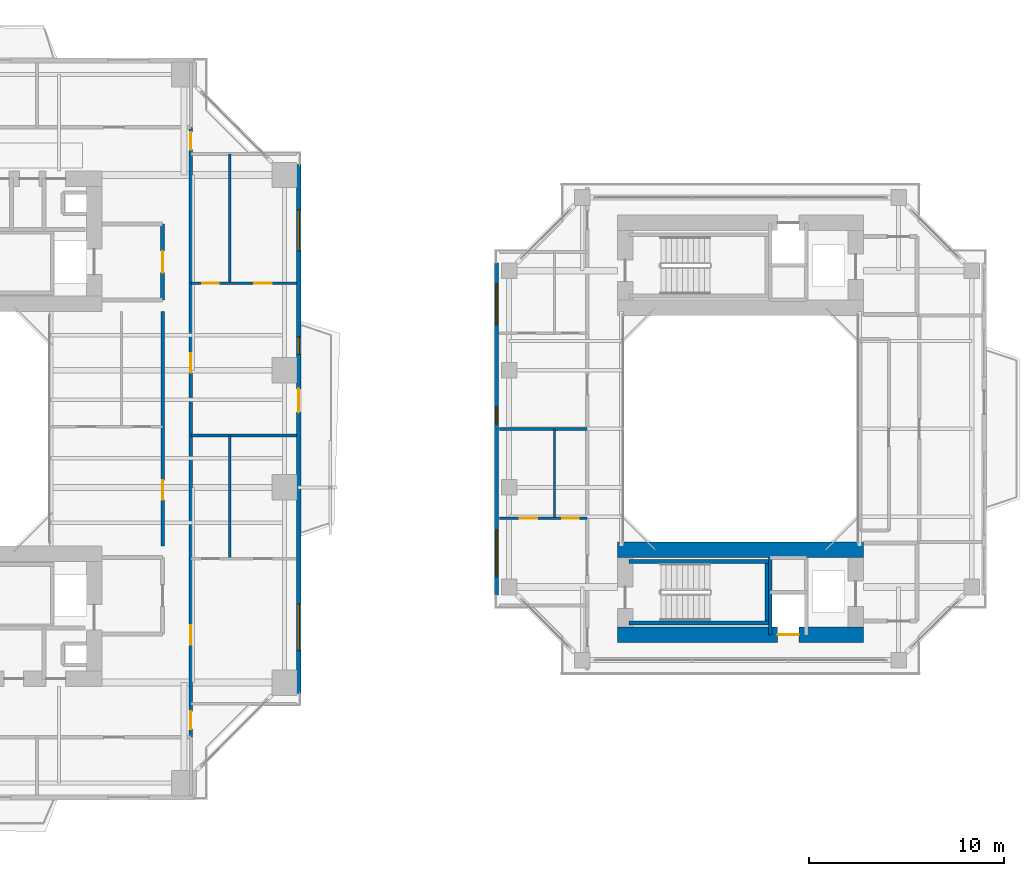
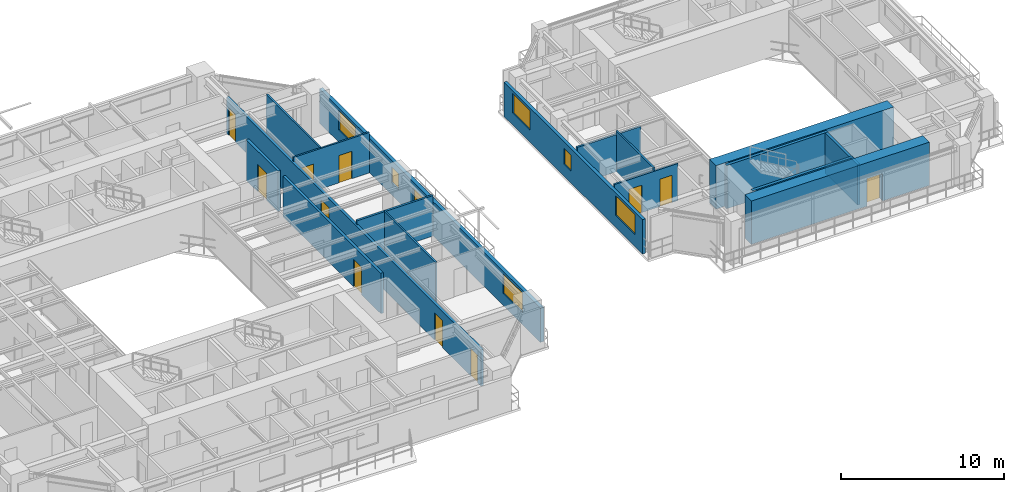
# One storey, part 15 of 23: 18 walls, 12 doors, 6 windows, 18 openings.
"""IFC4 building model written with IfcOpenShell, lengths in metres."""

from ifc_helpers import new_model, si_unit, direction, frame, frame_2d, origin, place, context, subcontext, project, spatial, rectangle, extrude, source, transform, mapped, material, layer, layer_set, type_object, element, fill, save


model = new_model("IFC4")

# Units and contexts
model_context = context("Model", 3, precision=1e-05, world=origin(), true_north=direction((0.0, 1.0)))
body_context = subcontext(model_context, "Body", "Model", "MODEL_VIEW")
ifc_project = project(units=[si_unit("LENGTHUNIT", "METRE"), si_unit("AREAUNIT", "SQUARE_METRE"), si_unit("VOLUMEUNIT", "CUBIC_METRE"), si_unit("PLANEANGLEUNIT", "RADIAN"), si_unit("MASSUNIT", "GRAM", prefix="KILO"), si_unit("THERMODYNAMICTEMPERATUREUNIT", "KELVIN"), si_unit("POWERUNIT", "WATT")], contexts=[model_context])

# Site, building, storey
site_placement = place(None, origin())
site = spatial("IfcSite", under=ifc_project, at=site_placement, CompositionType="ELEMENT")
building_placement = place(site_placement, origin())
building = spatial("IfcBuilding", under=site, at=building_placement, Name="Qiaomeng Ring Towers", CompositionType="ELEMENT")
storey_placement = place(building_placement, frame((0.0, 0.0, 89.25)))
storey = spatial("IfcBuildingStorey", under=building, at=storey_placement, Name="L25", CompositionType="ELEMENT", Elevation=89.25)

# Wall, openings, windows, door
ifc_material_1 = material(Name="Precast concrete C40", Category="concrete")
ifc_layer_1 = layer(ifc_material_1, 0.25, Name="Precast concrete C40")
ifc_layer_set_1 = layer_set([ifc_layer_1], Name="Precast concrete C40")
wall_type_1 = type_object("IfcWallType", Name="ARC-WL-EW1", PredefinedType="STANDARD", material=ifc_layer_set_1)
wall_1_placement = place(storey_placement, frame((37.875, 9.449951171875, 0.0), z_axis=(0.0, 0.0, 1.0), x_axis=(0.0, 1.0, 0.0)))
wall_1 = element("IfcWall", 1, at=wall_1_placement, inside=storey, type_object=wall_type_1, Name="L25 Tower 1 E Exterior Wall", PredefinedType="STANDARD", context=body_context, shape_type="SweptSolid", body=[
    extrude(rectangle(XDim=27.10009765625, YDim=0.25, at=frame_2d((13.550048828125, 0.0))), origin(), (0.0, 0.0, 1.0), 2.570068359375),
])
opening_1_placement = place(wall_1_placement, frame((14.39990234375, 0.0, 0.0)))
opening_1 = element("IfcOpeningElement", 2, at=opening_1_placement, cuts=wall_1, Name="Opening BD1", PredefinedType="OPENING", context=body_context, shape_type="SweptSolid", body=[
    extrude(rectangle(XDim=1.199951171875, YDim=2.10009765625, at=frame_2d((0.60009765625, 1.050048828125))), frame((0.0, 0.135009765625, 0.0), z_axis=(0.0, -1.0, 0.0), x_axis=(1.0, 0.0, 0.0)), (0.0, 0.0, 1.0), 0.27001953125),
])
opening_2_placement = place(wall_1_placement, frame((2.18798828125, 0.0, 0.89990234375)))
opening_2 = element("IfcOpeningElement", 3, at=opening_2_placement, cuts=wall_1, Name="Opening WN6", PredefinedType="OPENING", context=body_context, shape_type="SweptSolid", body=[
    extrude(rectangle(XDim=2.39990234375, YDim=1.47998046875, at=frame_2d((1.199951171875, 0.739990234375))), frame((0.0, 0.135009765625, 0.0), z_axis=(0.0, -1.0, 0.0), x_axis=(1.0, 0.0, 0.0)), (0.0, 0.0, 1.0), 0.27001953125),
])
opening_3_placement = place(wall_1_placement, frame((22.6630859375, 0.0, 0.89990234375)))
opening_3 = element("IfcOpeningElement", 4, at=opening_3_placement, cuts=wall_1, Name="Opening WN4", PredefinedType="OPENING", context=body_context, shape_type="SweptSolid", body=[
    extrude(rectangle(XDim=2.10009765625, YDim=1.47998046875, at=frame_2d((1.050048828125, 0.739990234375))), frame((0.0, 0.135009765625, 0.0), z_axis=(0.0, -1.0, 0.0), x_axis=(1.0, 0.0, 0.0)), (0.0, 0.0, 1.0), 0.27001953125),
])
opening_4_placement = place(wall_1_placement, frame((17.364990234375, 0.0, 0.89990234375)))
opening_4 = element("IfcOpeningElement", 5, at=opening_4_placement, cuts=wall_1, Name="Opening WN5", PredefinedType="OPENING", context=body_context, shape_type="SweptSolid", body=[
    extrude(rectangle(XDim=0.89990234375, YDim=1.199951171875, at=frame_2d((0.449951171875, 0.60009765625))), frame((0.0, 0.135009765625, 0.0), z_axis=(0.0, -1.0, 0.0), x_axis=(1.0, 0.0, 0.0)), (0.0, 0.0, 1.0), 0.27001953125),
])
ifc_material_2 = material(Name="Low-E dark-grey laminated double glazing", Category="glass")
window_type_1 = type_object("IfcWindowType", Name="ARC-WN-4", PartitioningType="TRIPLE_PANEL_VERTICAL", PredefinedType="WINDOW", material=ifc_material_2)
shared_shape_1 = source(origin(), body_context, "Body", "SweptSolid", [
    extrude(rectangle(XDim=2.10009765625, YDim=1.47998046875, at=frame_2d((1.050048828125, 0.739990234375))), frame((0.0, 0.030029296875, 0.0), z_axis=(0.0, -1.0, 0.0), x_axis=(1.0, 0.0, 0.0)), (0.0, 0.0, 1.0), 0.06005859375),
])
window_1_placement = place(opening_3_placement, origin())
window_1 = element("IfcWindow", 6, at=window_1_placement, inside=storey, type_object=window_type_1, Name="L25 Exterior Window WN4", OverallHeight=1.47998046875, OverallWidth=2.10009765625, PartitioningType="TRIPLE_PANEL_VERTICAL", PredefinedType="WINDOW", context=body_context, shape_type="MappedRepresentation", body=[
    mapped(shared_shape_1, transform((0.0, 0.0, 0.0), x_axis=(1.0, 0.0, 0.0), y_axis=(0.0, 1.0, 0.0), z_axis=(0.0, 0.0, 1.0), scale=1.0)),
])
fill(opening_3, window_1)
window_type_2 = type_object("IfcWindowType", Name="ARC-WN-6", PartitioningType="TRIPLE_PANEL_VERTICAL", PredefinedType="WINDOW", material=ifc_material_2)
shared_shape_2 = source(origin(), body_context, "Body", "SweptSolid", [
    extrude(rectangle(XDim=2.39990234375, YDim=1.47998046875, at=frame_2d((1.199951171875, 0.739990234375))), frame((0.0, 0.030029296875, 0.0), z_axis=(0.0, -1.0, 0.0), x_axis=(1.0, 0.0, 0.0)), (0.0, 0.0, 1.0), 0.06005859375),
])
window_2_placement = place(opening_2_placement, origin())
window_2 = element("IfcWindow", 7, at=window_2_placement, inside=storey, type_object=window_type_2, Name="L25 Exterior Window WN6", OverallHeight=1.47998046875, OverallWidth=2.39990234375, PartitioningType="TRIPLE_PANEL_VERTICAL", PredefinedType="WINDOW", context=body_context, shape_type="MappedRepresentation", body=[
    mapped(shared_shape_2, transform((0.0, 0.0, 0.0), x_axis=(1.0, 0.0, 0.0), y_axis=(0.0, 1.0, 0.0), z_axis=(0.0, 0.0, 1.0), scale=1.0)),
])
fill(opening_2, window_2)
door_type_1 = type_object("IfcDoorType", Name="ARC-DR-BD1", OperationType="NOTDEFINED", PredefinedType="DOOR", material=ifc_material_2)
shared_shape_3 = source(origin(), body_context, "Body", "SweptSolid", [
    extrude(rectangle(XDim=1.199951171875, YDim=2.10009765625, at=frame_2d((0.60009765625, 1.050048828125))), frame((0.0, 0.02490234375, 0.0), z_axis=(0.0, -1.0, 0.0), x_axis=(1.0, 0.0, 0.0)), (0.0, 0.0, 1.0), 0.050048828125),
])
door_1_placement = place(opening_1_placement, origin())
door_1 = element("IfcDoor", 8, at=door_1_placement, inside=storey, type_object=door_type_1, Name="L25 E Balcony Glazed Door", OperationType="SINGLE_SWING_LEFT", OverallHeight=2.10009765625, OverallWidth=1.199951171875, PredefinedType="DOOR", context=body_context, shape_type="MappedRepresentation", body=[
    mapped(shared_shape_3, transform((0.0, 0.0, 0.0), x_axis=(1.0, 0.0, 0.0), y_axis=(0.0, 1.0, 0.0), z_axis=(0.0, 0.0, 1.0), scale=1.0)),
])
fill(opening_1, door_1)
window_type_3 = type_object("IfcWindowType", Name="ARC-WN-5", PartitioningType="SINGLE_PANEL", PredefinedType="WINDOW", material=ifc_material_2)
shared_shape_4 = source(origin(), body_context, "Body", "SweptSolid", [
    extrude(rectangle(XDim=0.89990234375, YDim=1.199951171875, at=frame_2d((0.449951171875, 0.60009765625))), frame((0.0, 0.030029296875, 0.0), z_axis=(0.0, -1.0, 0.0), x_axis=(1.0, 0.0, 0.0)), (0.0, 0.0, 1.0), 0.06005859375),
])
window_3_placement = place(opening_4_placement, origin())
window_3 = element("IfcWindow", 9, at=window_3_placement, inside=storey, type_object=window_type_3, Name="L25 Exterior Window WN5", OverallHeight=1.199951171875, OverallWidth=0.89990234375, PartitioningType="SINGLE_PANEL", PredefinedType="WINDOW", context=body_context, shape_type="MappedRepresentation", body=[
    mapped(shared_shape_4, transform((0.0, 0.0, 0.0), x_axis=(1.0, 0.0, 0.0), y_axis=(0.0, 1.0, 0.0), z_axis=(0.0, 0.0, 1.0), scale=1.0)),
])
fill(opening_4, window_3)

# Wall, openings, windows
ifc_layer_2 = layer(ifc_material_1, 0.219970703125, Name="Precast concrete C40")
ifc_layer_set_2 = layer_set([ifc_layer_2], Name="Precast concrete C40")
wall_type_2 = type_object("IfcWallType", Name="ARC-WL-EW2", PredefinedType="STANDARD", material=ifc_layer_set_2)
wall_2_placement = place(storey_placement, frame((48.010009765625, 14.5, 0.0), z_axis=(0.0, 0.0, 1.0), x_axis=(0.0, 1.0, 0.0)))
wall_2 = element("IfcWall", 10, at=wall_2_placement, inside=storey, type_object=wall_type_2, Name="L25 Companion West Wall", PredefinedType="STANDARD", context=body_context, shape_type="SweptSolid", body=[
    extrude(rectangle(XDim=17.0, YDim=0.219970703125, at=frame_2d((8.5, 0.0))), origin(), (0.0, 0.0, 1.0), 2.570068359375),
])
opening_5_placement = place(wall_2_placement, frame((0.925048828125, 0.0, 0.89990234375)))
opening_5 = element("IfcOpeningElement", 11, at=opening_5_placement, cuts=wall_2, Name="Opening WN6", PredefinedType="OPENING", context=body_context, shape_type="SweptSolid", body=[
    extrude(rectangle(XDim=2.39990234375, YDim=1.47998046875, at=frame_2d((1.199951171875, 0.739990234375))), frame((0.0, 0.119873046875, 0.0), z_axis=(0.0, -1.0, 0.0), x_axis=(1.0, 0.0, 0.0)), (0.0, 0.0, 1.0), 0.239990234375),
])
opening_6_placement = place(wall_2_placement, frame((13.824951171875, 0.0, 0.89990234375)))
opening_6 = element("IfcOpeningElement", 12, at=opening_6_placement, cuts=wall_2, Name="Opening WN4", PredefinedType="OPENING", context=body_context, shape_type="SweptSolid", body=[
    extrude(rectangle(XDim=2.10009765625, YDim=1.47998046875, at=frame_2d((1.050048828125, 0.739990234375))), frame((0.0, 0.119873046875, 0.0), z_axis=(0.0, -1.0, 0.0), x_axis=(1.0, 0.0, 0.0)), (0.0, 0.0, 1.0), 0.239990234375),
])
opening_7_placement = place(wall_2_placement, frame((8.735107421875, 0.0, 0.89990234375)))
opening_7 = element("IfcOpeningElement", 13, at=opening_7_placement, cuts=wall_2, Name="Opening WN5", PredefinedType="OPENING", context=body_context, shape_type="SweptSolid", body=[
    extrude(rectangle(XDim=0.89990234375, YDim=1.199951171875, at=frame_2d((0.449951171875, 0.60009765625))), frame((0.0, 0.119873046875, 0.0), z_axis=(0.0, -1.0, 0.0), x_axis=(1.0, 0.0, 0.0)), (0.0, 0.0, 1.0), 0.239990234375),
])
window_4_placement = place(opening_6_placement, origin())
window_4 = element("IfcWindow", 14, at=window_4_placement, inside=storey, type_object=window_type_1, Name="L25 Exterior Window WN4", OverallHeight=1.47998046875, OverallWidth=2.10009765625, PartitioningType="TRIPLE_PANEL_VERTICAL", PredefinedType="WINDOW", context=body_context, shape_type="MappedRepresentation", body=[
    mapped(shared_shape_1, transform((0.0, 0.0, 0.0), x_axis=(1.0, 0.0, 0.0), y_axis=(0.0, 1.0, 0.0), z_axis=(0.0, 0.0, 1.0), scale=1.0)),
])
fill(opening_6, window_4)
window_5_placement = place(opening_5_placement, origin())
window_5 = element("IfcWindow", 15, at=window_5_placement, inside=storey, type_object=window_type_2, Name="L25 Exterior Window WN6", OverallHeight=1.47998046875, OverallWidth=2.39990234375, PartitioningType="TRIPLE_PANEL_VERTICAL", PredefinedType="WINDOW", context=body_context, shape_type="MappedRepresentation", body=[
    mapped(shared_shape_2, transform((0.0, 0.0, 0.0), x_axis=(1.0, 0.0, 0.0), y_axis=(0.0, 1.0, 0.0), z_axis=(0.0, 0.0, 1.0), scale=1.0)),
])
fill(opening_5, window_5)
window_6_placement = place(opening_7_placement, origin())
window_6 = element("IfcWindow", 16, at=window_6_placement, inside=storey, type_object=window_type_3, Name="L25 Exterior Window WN5", OverallHeight=1.199951171875, OverallWidth=0.89990234375, PartitioningType="SINGLE_PANEL", PredefinedType="WINDOW", context=body_context, shape_type="MappedRepresentation", body=[
    mapped(shared_shape_4, transform((0.0, 0.0, 0.0), x_axis=(1.0, 0.0, 0.0), y_axis=(0.0, 1.0, 0.0), z_axis=(0.0, 0.0, 1.0), scale=1.0)),
])
fill(opening_7, window_6)

# Wall, opening, door
ifc_material_3 = material(Name="Autoclaved aerated concrete block", Category="concrete")
ifc_layer_3 = layer(ifc_material_3, 0.199951171875, Name="Autoclaved aerated concrete block")
ifc_layer_set_3 = layer_set([ifc_layer_3], Name="Autoclaved aerated concrete block")
wall_type_3 = type_object("IfcWallType", Name="ARC-WL-PW1", PredefinedType="PARTITIONING", material=ifc_layer_set_3)
wall_3_placement = place(storey_placement, frame((30.89990234375, 29.60009765625, 0.0), z_axis=(0.0, 0.0, 1.0), x_axis=(0.0, 1.0, 0.0)))
wall_3 = element("IfcWall", 17, at=wall_3_placement, inside=storey, type_object=wall_type_3, Name="L25 Interior Wall PW1", PredefinedType="PARTITIONING", context=body_context, shape_type="SweptSolid", body=[
    extrude(rectangle(XDim=3.89990234375, YDim=0.199951171875, at=frame_2d((1.949951171875, 0.0))), origin(), (0.0, 0.0, 1.0), 3.030029296875),
])
opening_8_placement = place(wall_3_placement, frame((1.39990234375, 0.0, 0.0)))
opening_8 = element("IfcOpeningElement", 18, at=opening_8_placement, cuts=wall_3, Name="Opening FD3", PredefinedType="OPENING", context=body_context, shape_type="SweptSolid", body=[
    extrude(rectangle(XDim=1.10009765625, YDim=2.050048828125, at=frame_2d((0.550048828125, 1.02490234375))), frame((0.0, 0.10986328125, 0.0), z_axis=(0.0, -1.0, 0.0), x_axis=(1.0, 0.0, 0.0)), (0.0, 0.0, 1.0), 0.219970703125),
])
ifc_material_4 = material(Name="Galvanised steel", Category="steel")
door_type_2 = type_object("IfcDoorType", Name="ARC-DR-FD3", OperationType="NOTDEFINED", PredefinedType="DOOR", material=ifc_material_4)
shared_shape_5 = source(origin(), body_context, "Body", "SweptSolid", [
    extrude(rectangle(XDim=1.10009765625, YDim=2.050048828125, at=frame_2d((0.550048828125, 1.02490234375))), frame((0.0, 0.02490234375, 0.0), z_axis=(0.0, -1.0, 0.0), x_axis=(1.0, 0.0, 0.0)), (0.0, 0.0, 1.0), 0.050048828125),
])
door_2_placement = place(opening_8_placement, origin())
door_2 = element("IfcDoor", 19, at=door_2_placement, inside=storey, type_object=door_type_2, Name="L25 North FF Lobby Door", OperationType="SINGLE_SWING_RIGHT", OverallHeight=2.050048828125, OverallWidth=1.10009765625, PredefinedType="DOOR", context=body_context, shape_type="MappedRepresentation", body=[
    mapped(shared_shape_5, transform((0.0, 0.0, 0.0), x_axis=(1.0, 0.0, 0.0), y_axis=(0.0, 1.0, 0.0), z_axis=(0.0, 0.0, 1.0), scale=1.0)),
])
fill(opening_8, door_2)

# Wall, openings, doors
ifc_layer_4 = layer(ifc_material_3, 0.179931640625, Name="Autoclaved aerated concrete block")
ifc_layer_set_4 = layer_set([ifc_layer_4], Name="Autoclaved aerated concrete block")
wall_type_4 = type_object("IfcWallType", Name="ARC-WL-PW2", PredefinedType="PARTITIONING", material=ifc_layer_set_4)
wall_4_placement = place(storey_placement, frame((32.35009765625, 7.2099609375, 0.0), z_axis=(0.0, 0.0, 1.0), x_axis=(0.0, 1.0, 0.0)))
wall_4 = element("IfcWall", 20, at=wall_4_placement, inside=storey, type_object=wall_type_4, Name="L25 Interior Wall PW2", PredefinedType="PARTITIONING", context=body_context, shape_type="SweptSolid", body=[
    extrude(rectangle(XDim=31.22998046875, YDim=0.179931640625, at=frame_2d((15.614990234375, 0.0))), origin(), (0.0, 0.0, 1.0), 2.72509765625),
])
opening_9_placement = place(wall_4_placement, frame((30.090087890625, 0.0, 0.0)))
opening_9 = element("IfcOpeningElement", 21, at=opening_9_placement, cuts=wall_4, Name="Opening ID1", PredefinedType="OPENING", context=body_context, shape_type="SweptSolid", body=[
    extrude(rectangle(XDim=0.89990234375, YDim=2.050048828125, at=frame_2d((0.449951171875, 1.02490234375))), frame((0.0, 0.099853515625, 0.0), z_axis=(0.0, -1.0, 0.0), x_axis=(1.0, 0.0, 0.0)), (0.0, 0.0, 1.0), 0.199951171875),
])
opening_10_placement = place(wall_4_placement, frame((0.4150390625, 0.0, 0.0)))
opening_10 = element("IfcOpeningElement", 22, at=opening_10_placement, cuts=wall_4, Name="Opening ID1", PredefinedType="OPENING", context=body_context, shape_type="SweptSolid", body=[
    extrude(rectangle(XDim=0.89990234375, YDim=2.050048828125, at=frame_2d((0.449951171875, 1.02490234375))), frame((0.0, 0.099853515625, 0.0), z_axis=(0.0, -1.0, 0.0), x_axis=(1.0, 0.0, 0.0)), (0.0, 0.0, 1.0), 0.199951171875),
])
opening_11_placement = place(wall_4_placement, frame((4.72998046875, 0.0, 0.0)))
opening_11 = element("IfcOpeningElement", 23, at=opening_11_placement, cuts=wall_4, Name="Opening FD4", PredefinedType="OPENING", context=body_context, shape_type="SweptSolid", body=[
    extrude(rectangle(XDim=1.0, YDim=2.050048828125, at=frame_2d((0.5, 1.02490234375))), frame((0.0, 0.099853515625, 0.0), z_axis=(0.0, -1.0, 0.0), x_axis=(1.0, 0.0, 0.0)), (0.0, 0.0, 1.0), 0.199951171875),
])
opening_12_placement = place(wall_4_placement, frame((18.655029296875, 0.0, 0.0)))
opening_12 = element("IfcOpeningElement", 24, at=opening_12_placement, cuts=wall_4, Name="Opening FD4", PredefinedType="OPENING", context=body_context, shape_type="SweptSolid", body=[
    extrude(rectangle(XDim=1.0, YDim=2.050048828125, at=frame_2d((0.5, 1.02490234375))), frame((0.0, 0.099853515625, 0.0), z_axis=(0.0, -1.0, 0.0), x_axis=(1.0, 0.0, 0.0)), (0.0, 0.0, 1.0), 0.199951171875),
])
ifc_material_5 = material(Name="Engineered fire-rated oak timber", Category="wood")
door_type_3 = type_object("IfcDoorType", Name="ARC-DR-FD4", OperationType="NOTDEFINED", PredefinedType="DOOR", material=ifc_material_5)
shared_shape_6 = source(origin(), body_context, "Body", "SweptSolid", [
    extrude(rectangle(XDim=1.0, YDim=2.050048828125, at=frame_2d((0.5, 1.02490234375))), frame((0.0, 0.02490234375, 0.0), z_axis=(0.0, -1.0, 0.0), x_axis=(1.0, 0.0, 0.0)), (0.0, 0.0, 1.0), 0.050048828125),
])
door_3_placement = place(opening_11_placement, origin())
door_3 = element("IfcDoor", 25, at=door_3_placement, inside=storey, type_object=door_type_3, Name="L25 Door FD4", OperationType="SINGLE_SWING_RIGHT", OverallHeight=2.050048828125, OverallWidth=1.0, PredefinedType="DOOR", context=body_context, shape_type="MappedRepresentation", body=[
    mapped(shared_shape_6, transform((0.0, 0.0, 0.0), x_axis=(1.0, 0.0, 0.0), y_axis=(0.0, 1.0, 0.0), z_axis=(0.0, 0.0, 1.0), scale=1.0)),
])
fill(opening_11, door_3)
door_4_placement = place(opening_12_placement, origin())
door_4 = element("IfcDoor", 26, at=door_4_placement, inside=storey, type_object=door_type_3, Name="L25 Door FD4", OperationType="SINGLE_SWING_LEFT", OverallHeight=2.050048828125, OverallWidth=1.0, PredefinedType="DOOR", context=body_context, shape_type="MappedRepresentation", body=[
    mapped(shared_shape_6, transform((0.0, 0.0, 0.0), x_axis=(1.0, 0.0, 0.0), y_axis=(0.0, 1.0, 0.0), z_axis=(0.0, 0.0, 1.0), scale=1.0)),
])
fill(opening_12, door_4)
ifc_material_6 = material(Name="Engineered oak timber", Category="wood")
door_type_4 = type_object("IfcDoorType", Name="ARC-DR-ID1", OperationType="NOTDEFINED", PredefinedType="DOOR", material=ifc_material_6)
shared_shape_7 = source(origin(), body_context, "Body", "SweptSolid", [
    extrude(rectangle(XDim=0.89990234375, YDim=2.050048828125, at=frame_2d((0.449951171875, 1.02490234375))), frame((0.0, 0.02490234375, 0.0), z_axis=(0.0, -1.0, 0.0), x_axis=(1.0, 0.0, 0.0)), (0.0, 0.0, 1.0), 0.050048828125),
])
door_5_placement = place(opening_9_placement, origin())
door_5 = element("IfcDoor", 27, at=door_5_placement, inside=storey, type_object=door_type_4, Name="L25 Door ID1", OperationType="SINGLE_SWING_RIGHT", OverallHeight=2.050048828125, OverallWidth=0.89990234375, PredefinedType="DOOR", context=body_context, shape_type="MappedRepresentation", body=[
    mapped(shared_shape_7, transform((0.0, 0.0, 0.0), x_axis=(1.0, 0.0, 0.0), y_axis=(0.0, 1.0, 0.0), z_axis=(0.0, 0.0, 1.0), scale=1.0)),
])
fill(opening_9, door_5)
door_6_placement = place(opening_10_placement, origin())
door_6 = element("IfcDoor", 28, at=door_6_placement, inside=storey, type_object=door_type_4, Name="L25 Door ID1", OperationType="SINGLE_SWING_LEFT", OverallHeight=2.050048828125, OverallWidth=0.89990234375, PredefinedType="DOOR", context=body_context, shape_type="MappedRepresentation", body=[
    mapped(shared_shape_7, transform((0.0, 0.0, 0.0), x_axis=(1.0, 0.0, 0.0), y_axis=(0.0, 1.0, 0.0), z_axis=(0.0, 0.0, 1.0), scale=1.0)),
])
fill(opening_10, door_6)

# Wall, opening, door
wall_5_placement = place(storey_placement, frame((30.89990234375, 17.0, 0.0), z_axis=(0.0, 0.0, 1.0), x_axis=(0.0, 1.0, 0.0)))
wall_5 = element("IfcWall", 29, at=wall_5_placement, inside=storey, type_object=wall_type_4, Name="L25 Interior Wall PW2", PredefinedType="PARTITIONING", context=body_context, shape_type="SweptSolid", body=[
    extrude(rectangle(XDim=12.0, YDim=0.179931640625, at=frame_2d((6.0, 0.0))), origin(), (0.0, 0.0, 1.0), 3.030029296875),
])
opening_13_placement = place(wall_5_placement, frame((2.360107421875, 0.0, 0.0)))
opening_13 = element("IfcOpeningElement", 30, at=opening_13_placement, cuts=wall_5, Name="Opening FD4", PredefinedType="OPENING", context=body_context, shape_type="SweptSolid", body=[
    extrude(rectangle(XDim=1.0, YDim=2.050048828125, at=frame_2d((0.5, 1.02490234375))), frame((0.0, 0.099853515625, 0.0), z_axis=(0.0, -1.0, 0.0), x_axis=(1.0, 0.0, 0.0)), (0.0, 0.0, 1.0), 0.199951171875),
])
door_7_placement = place(opening_13_placement, origin())
door_7 = element("IfcDoor", 31, at=door_7_placement, inside=storey, type_object=door_type_3, Name="L25 Door FD4", OperationType="SINGLE_SWING_RIGHT", OverallHeight=2.050048828125, OverallWidth=1.0, PredefinedType="DOOR", context=body_context, shape_type="MappedRepresentation", body=[
    mapped(shared_shape_6, transform((0.0, 0.0, 0.0), x_axis=(1.0, 0.0, 0.0), y_axis=(0.0, 1.0, 0.0), z_axis=(0.0, 0.0, 1.0), scale=1.0)),
])
fill(opening_13, door_7)

# Walls
ifc_material_7 = material(Name="Gypsum fireboard steel-stud partition", Category="steel")
ifc_layer_5 = layer(ifc_material_7, 0.14990234375, Name="Gypsum fireboard steel-stud partition")
ifc_layer_set_5 = layer_set([ifc_layer_5], Name="Gypsum fireboard steel-stud partition")
wall_type_5 = type_object("IfcWallType", Name="ARC-WL-PW3", PredefinedType="PARTITIONING", material=ifc_layer_set_5)
wall_6_placement = place(storey_placement, frame((32.35009765625, 22.659912109375, 0.0), z_axis=(0.0, 0.0, 1.0), x_axis=(1.0, 0.0, 0.0)))
element("IfcWall", 32, at=wall_6_placement, inside=storey, type_object=wall_type_5, Name="L25 Interior Wall PW3", PredefinedType="PARTITIONING", context=body_context, shape_type="SweptSolid", body=[
    extrude(rectangle(XDim=5.39990234375, YDim=0.14990234375, at=frame_2d((2.699951171875, 0.0))), origin(), (0.0, 0.0, 1.0), 3.030029296875),
])
wall_7_placement = place(storey_placement, frame((48.14990234375, 23.0, 0.0), z_axis=(0.0, 0.0, 1.0), x_axis=(1.0, 0.0, 0.0)))
element("IfcWall", 33, at=wall_7_placement, inside=storey, type_object=wall_type_5, Name="L25 Interior Wall PW3", PredefinedType="PARTITIONING", context=body_context, shape_type="SweptSolid", body=[
    extrude(rectangle(XDim=4.5, YDim=0.14990234375, at=frame_2d((2.25, 0.0))), origin(), (0.0, 0.0, 1.0), 2.781005859375),
])
ifc_material_8 = material(Name="Moisture-resistant gypsum steel-stud partition", Category="steel")
ifc_layer_6 = layer(ifc_material_8, 0.1201171875, Name="Moisture-resistant gypsum steel-stud partition")
ifc_layer_set_6 = layer_set([ifc_layer_6], Name="Moisture-resistant gypsum steel-stud partition")
wall_type_6 = type_object("IfcWallType", Name="ARC-WL-PW4", PredefinedType="PLUMBINGWALL", material=ifc_layer_set_6)
wall_8_placement = place(storey_placement, frame((34.35009765625, 16.340087890625, 0.0), z_axis=(0.0, 0.0, 1.0), x_axis=(0.0, 1.0, 0.0)))
element("IfcWall", 34, at=wall_8_placement, inside=storey, type_object=wall_type_6, Name="L25 Interior Wall PW4", PredefinedType="PLUMBINGWALL", context=body_context, shape_type="SweptSolid", body=[
    extrude(rectangle(XDim=6.31982421875, YDim=0.1201171875, at=frame_2d((3.159912109375, 0.0))), origin(), (0.0, 0.0, 1.0), 3.030029296875),
])

# Wall, openings, doors
wall_9_placement = place(storey_placement, frame((32.35009765625, 30.449951171875, 0.0), z_axis=(0.0, 0.0, 1.0), x_axis=(1.0, 0.0, 0.0)))
wall_9 = element("IfcWall", 35, at=wall_9_placement, inside=storey, type_object=wall_type_6, Name="L25 Interior Wall PW4", PredefinedType="PLUMBINGWALL", context=body_context, shape_type="SweptSolid", body=[
    extrude(rectangle(XDim=5.39990234375, YDim=0.1201171875, at=frame_2d((2.699951171875, 0.0))), origin(), (0.0, 0.0, 1.0), 3.030029296875),
])
opening_14_placement = place(wall_9_placement, frame((0.5849609375, 0.0, 0.0)))
opening_14 = element("IfcOpeningElement", 36, at=opening_14_placement, cuts=wall_9, Name="Opening ID2", PredefinedType="OPENING", context=body_context, shape_type="SweptSolid", body=[
    extrude(rectangle(XDim=0.85009765625, YDim=2.050048828125, at=frame_2d((0.425048828125, 1.02490234375))), frame((0.0, 0.070068359375, 0.0), z_axis=(0.0, -1.0, 0.0), x_axis=(1.0, 0.0, 0.0)), (0.0, 0.0, 1.0), 0.14013671875),
])
opening_15_placement = place(wall_9_placement, frame((3.239990234375, 0.0, 0.0)))
opening_15 = element("IfcOpeningElement", 37, at=opening_15_placement, cuts=wall_9, Name="Opening ID1", PredefinedType="OPENING", context=body_context, shape_type="SweptSolid", body=[
    extrude(rectangle(XDim=0.89990234375, YDim=2.050048828125, at=frame_2d((0.449951171875, 1.02490234375))), frame((0.0, 0.070068359375, 0.0), z_axis=(0.0, -1.0, 0.0), x_axis=(1.0, 0.0, 0.0)), (0.0, 0.0, 1.0), 0.14013671875),
])
ifc_material_9 = material(Name="Moisture-resistant engineered timber", Category="wood")
door_type_5 = type_object("IfcDoorType", Name="ARC-DR-ID2", OperationType="NOTDEFINED", PredefinedType="DOOR", material=ifc_material_9)
shared_shape_8 = source(origin(), body_context, "Body", "SweptSolid", [
    extrude(rectangle(XDim=0.85009765625, YDim=2.050048828125, at=frame_2d((0.425048828125, 1.02490234375))), frame((0.0, 0.02490234375, 0.0), z_axis=(0.0, -1.0, 0.0), x_axis=(1.0, 0.0, 0.0)), (0.0, 0.0, 1.0), 0.050048828125),
])
door_8_placement = place(opening_14_placement, origin())
door_8 = element("IfcDoor", 38, at=door_8_placement, inside=storey, type_object=door_type_5, Name="L25 Door ID2", OperationType="SINGLE_SWING_LEFT", OverallHeight=2.050048828125, OverallWidth=0.85009765625, PredefinedType="DOOR", context=body_context, shape_type="MappedRepresentation", body=[
    mapped(shared_shape_8, transform((0.0, 0.0, 0.0), x_axis=(1.0, 0.0, 0.0), y_axis=(0.0, 1.0, 0.0), z_axis=(0.0, 0.0, 1.0), scale=1.0)),
])
fill(opening_14, door_8)
door_9_placement = place(opening_15_placement, origin())
door_9 = element("IfcDoor", 39, at=door_9_placement, inside=storey, type_object=door_type_4, Name="L25 Door ID1", OperationType="SINGLE_SWING_RIGHT", OverallHeight=2.050048828125, OverallWidth=0.89990234375, PredefinedType="DOOR", context=body_context, shape_type="MappedRepresentation", body=[
    mapped(shared_shape_7, transform((0.0, 0.0, 0.0), x_axis=(1.0, 0.0, 0.0), y_axis=(0.0, 1.0, 0.0), z_axis=(0.0, 0.0, 1.0), scale=1.0)),
])
fill(opening_15, door_9)

# Wall
wall_10_placement = place(storey_placement, frame((34.35009765625, 30.449951171875, 0.0), z_axis=(0.0, 0.0, 1.0), x_axis=(0.0, 1.0, 0.0)))
element("IfcWall", 40, at=wall_10_placement, inside=storey, type_object=wall_type_6, Name="L25 Interior Wall PW4", PredefinedType="PLUMBINGWALL", context=body_context, shape_type="SweptSolid", body=[
    extrude(rectangle(XDim=6.630126953125, YDim=0.1201171875, at=frame_2d((3.31494140625, 0.0))), origin(), (0.0, 0.0, 1.0), 3.030029296875),
])

# Wall, openings, doors
wall_11_placement = place(storey_placement, frame((48.14990234375, 18.419921875, 0.0), z_axis=(0.0, 0.0, 1.0), x_axis=(1.0, 0.0, 0.0)))
wall_11 = element("IfcWall", 41, at=wall_11_placement, inside=storey, type_object=wall_type_6, Name="L25 Interior Wall PW4", PredefinedType="PLUMBINGWALL", context=body_context, shape_type="SweptSolid", body=[
    extrude(rectangle(XDim=4.5, YDim=0.1201171875, at=frame_2d((2.25, 0.0))), origin(), (0.0, 0.0, 1.0), 2.781005859375),
])
opening_16_placement = place(wall_11_placement, frame((1.035888671875, 0.0, 0.0)))
opening_16 = element("IfcOpeningElement", 42, at=opening_16_placement, cuts=wall_11, Name="Opening ID1", PredefinedType="OPENING", context=body_context, shape_type="SweptSolid", body=[
    extrude(rectangle(XDim=0.89990234375, YDim=2.050048828125, at=frame_2d((0.449951171875, 1.02490234375))), frame((0.0, 0.070068359375, 0.0), z_axis=(0.0, -1.0, 0.0), x_axis=(1.0, 0.0, 0.0)), (0.0, 0.0, 1.0), 0.14013671875),
])
opening_17_placement = place(wall_11_placement, frame((3.22998046875, 0.0, 0.0)))
opening_17 = element("IfcOpeningElement", 43, at=opening_17_placement, cuts=wall_11, Name="Opening ID2", PredefinedType="OPENING", context=body_context, shape_type="SweptSolid", body=[
    extrude(rectangle(XDim=0.85009765625, YDim=2.050048828125, at=frame_2d((0.425048828125, 1.02490234375))), frame((0.0, 0.070068359375, 0.0), z_axis=(0.0, -1.0, 0.0), x_axis=(1.0, 0.0, 0.0)), (0.0, 0.0, 1.0), 0.14013671875),
])
door_10_placement = place(opening_17_placement, origin())
door_10 = element("IfcDoor", 44, at=door_10_placement, inside=storey, type_object=door_type_5, Name="L25 Door ID2", OperationType="SINGLE_SWING_RIGHT", OverallHeight=2.050048828125, OverallWidth=0.85009765625, PredefinedType="DOOR", context=body_context, shape_type="MappedRepresentation", body=[
    mapped(shared_shape_8, transform((0.0, 0.0, 0.0), x_axis=(1.0, 0.0, 0.0), y_axis=(0.0, 1.0, 0.0), z_axis=(0.0, 0.0, 1.0), scale=1.0)),
])
fill(opening_17, door_10)
door_11_placement = place(opening_16_placement, origin())
door_11 = element("IfcDoor", 45, at=door_11_placement, inside=storey, type_object=door_type_4, Name="L25 Door ID1", OperationType="SINGLE_SWING_LEFT", OverallHeight=2.050048828125, OverallWidth=0.89990234375, PredefinedType="DOOR", context=body_context, shape_type="MappedRepresentation", body=[
    mapped(shared_shape_7, transform((0.0, 0.0, 0.0), x_axis=(1.0, 0.0, 0.0), y_axis=(0.0, 1.0, 0.0), z_axis=(0.0, 0.0, 1.0), scale=1.0)),
])
fill(opening_16, door_11)

# Walls
wall_12_placement = place(storey_placement, frame((50.97998046875, 18.419921875, 0.0), z_axis=(0.0, 0.0, 1.0), x_axis=(0.0, 1.0, 0.0)))
element("IfcWall", 46, at=wall_12_placement, inside=storey, type_object=wall_type_6, Name="L25 Interior Wall PW4", PredefinedType="PLUMBINGWALL", context=body_context, shape_type="SweptSolid", body=[
    extrude(rectangle(XDim=4.580078125, YDim=0.1201171875, at=frame_2d((2.2900390625, 0.0))), origin(), (0.0, 0.0, 1.0), 3.030029296875),
])
ifc_material_10 = material(Name="Concrete C40", Category="concrete")
ifc_layer_7 = layer(ifc_material_10, 0.199951171875, Name="Concrete C40")
ifc_layer_set_7 = layer_set([ifc_layer_7], Name="Concrete C40")
wall_type_7 = type_object("IfcWallType", Name="STR-WL-STSHAFT", PredefinedType="SHEAR", material=ifc_layer_set_7)
wall_13_placement = place(storey_placement, frame((62.02001953125, 12.449951171875, 0.0), z_axis=(0.0, 0.0, 1.0), x_axis=(0.0, 1.0, 0.0)))
element("IfcWall", 47, at=wall_13_placement, inside=storey, type_object=wall_type_7, Name="L25 Companion Lift Shaft West Wall S", PredefinedType="SHEAR", context=body_context, shape_type="SweptSolid", body=[
    extrude(rectangle(XDim=3.949951171875, YDim=0.179931640625, at=frame_2d((1.97509765625, 0.0))), origin(), (0.0, 0.0, 1.0), 3.030029296875),
])
for number, where, z_axis, x_axis, name in (
    (48, (54.800048828125, 13.06005859375, 0.0), (0.0, 0.0, 1.0), (1.0, 0.0, 0.0), "L25 Stair ST6 South Shaft Shear Wall"),
    (49, (54.800048828125, 16.199951171875, 0.0), (0.0, 0.0, 1.0), (1.0, 0.0, 0.0), "L25 Stair ST6 North Shaft Shear Wall"),
):
    element("IfcWall", number, at=place(storey_placement, frame(where, z_axis=z_axis, x_axis=x_axis)), inside=storey, type_object=wall_type_7, Name=name, PredefinedType="SHEAR", context=body_context, shape_type="SweptSolid", body=[
        extrude(rectangle(XDim=7.14990234375, YDim=0.199951171875, at=frame_2d((3.574951171875, 0.0))), origin(), (0.0, 0.0, 1.0), 3.25),
    ])
wall_14_placement = place(storey_placement, frame((61.85009765625, 13.159912109375, 0.0), z_axis=(0.0, 0.0, 1.0), x_axis=(0.0, 1.0, 0.0)))
element("IfcWall", 50, at=wall_14_placement, inside=storey, type_object=wall_type_7, Name="L25 Stair ST6 East Shaft Shear Wall", PredefinedType="SHEAR", context=body_context, shape_type="SweptSolid", body=[
    extrude(rectangle(XDim=2.940185546875, YDim=0.199951171875, at=frame_2d((1.47021484375, 0.0))), origin(), (0.0, 0.0, 1.0), 3.25),
])

# Wall, opening, door
ifc_material_11 = material(Name="Concrete C60", Category="concrete")
ifc_layer_8 = layer(ifc_material_11, 0.800048828125, Name="Concrete C60")
ifc_layer_set_8 = layer_set([ifc_layer_8], Name="Concrete C60")
wall_type_8 = type_object("IfcWallType", Name="STR-WL-SW1", PredefinedType="SHEAR", material=ifc_layer_set_8)
wall_15_placement = place(storey_placement, frame((54.199951171875, 12.449951171875, 0.0), z_axis=(0.0, 0.0, 1.0), x_axis=(1.0, 0.0, 0.0)))
wall_15 = element("IfcWall", 51, at=wall_15_placement, inside=storey, type_object=wall_type_8, Name="L25 T2SC south core shear wall", PredefinedType="SHEAR", context=body_context, shape_type="SweptSolid", body=[
    extrude(rectangle(XDim=12.60009765625, YDim=0.800048828125, at=frame_2d((6.300048828125, 0.0))), origin(), (0.0, 0.0, 1.0), 3.25),
])
opening_18_placement = place(wall_15_placement, frame((8.199951171875, 0.0, 0.0)))
opening_18 = element("IfcOpeningElement", 52, at=opening_18_placement, cuts=wall_15, Name="Opening LD1", PredefinedType="OPENING", context=body_context, shape_type="SweptSolid", body=[
    extrude(rectangle(XDim=1.10009765625, YDim=2.050048828125, at=frame_2d((0.550048828125, 1.02490234375))), frame((0.0, 0.409912109375, 0.0), z_axis=(0.0, -1.0, 0.0), x_axis=(1.0, 0.0, 0.0)), (0.0, 0.0, 1.0), 0.820068359375),
])
ifc_material_12 = material(Name="Stainless steel 316", Category="steel")
door_type_6 = type_object("IfcDoorType", Name="ARC-DR-LD1", OperationType="NOTDEFINED", PredefinedType="DOOR", material=ifc_material_12)
door_12_placement = place(opening_18_placement, origin())
door_12 = element("IfcDoor", 53, at=door_12_placement, inside=storey, type_object=door_type_6, Name="L25 Companion Lift LP8 Landing Door", OperationType="SLIDING_TO_RIGHT", OverallHeight=2.050048828125, OverallWidth=1.10009765625, PredefinedType="DOOR", context=body_context, shape_type="MappedRepresentation", body=[
    mapped(shared_shape_5, transform((0.0, 0.0, 0.0), x_axis=(1.0, 0.0, 0.0), y_axis=(0.0, 1.0, 0.0), z_axis=(0.0, 0.0, 1.0), scale=1.0)),
])
fill(opening_18, door_12)

# Wall
wall_16_placement = place(storey_placement, frame((54.199951171875, 16.800048828125, 0.0), z_axis=(0.0, 0.0, 1.0), x_axis=(1.0, 0.0, 0.0)))
element("IfcWall", 54, at=wall_16_placement, inside=storey, type_object=wall_type_8, Name="L25 T2SC north core shear wall", PredefinedType="SHEAR", context=body_context, shape_type="SweptSolid", body=[
    extrude(rectangle(XDim=12.60009765625, YDim=0.800048828125, at=frame_2d((6.300048828125, 0.0))), origin(), (0.0, 0.0, 1.0), 3.25),
])

save(model, "model.ifc")
